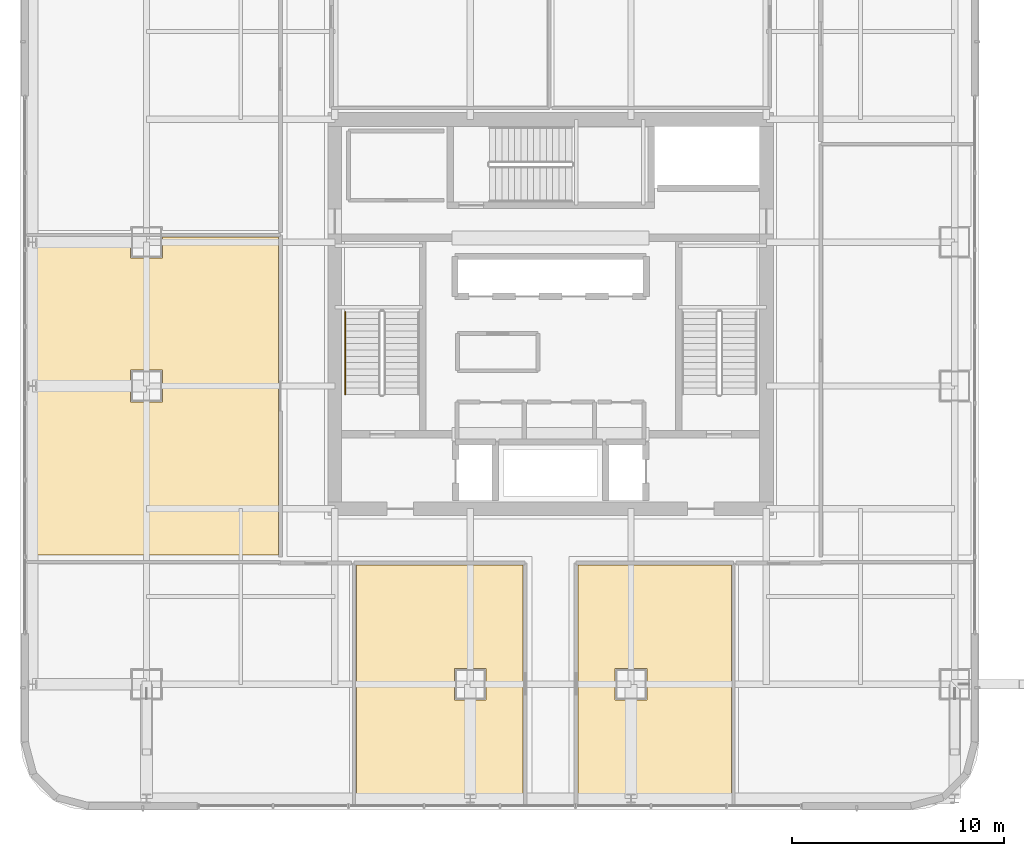
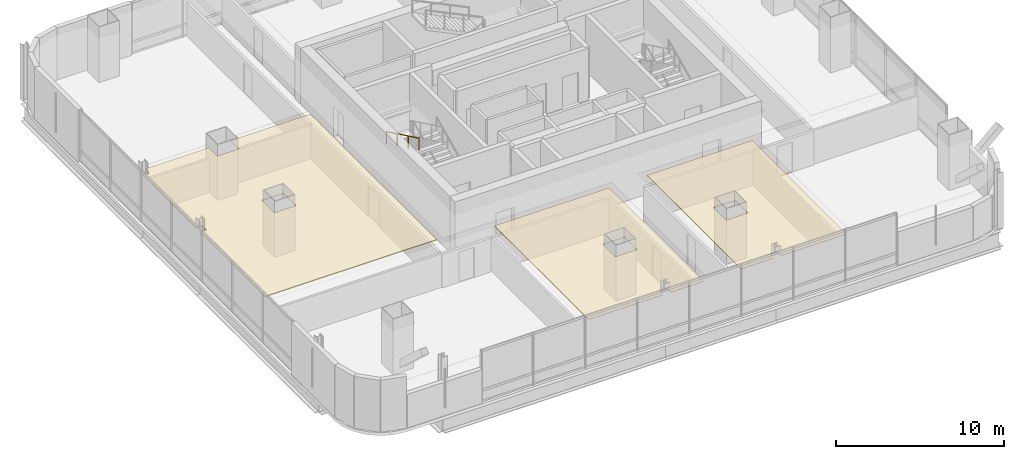
# One storey, part 38 of 46: 3 coverings, 1 railing.
"""IFC4 building model written with IfcOpenShell, lengths in metres."""

from ifc_helpers import new_model, si_unit, direction, frame, origin, origin_2d, place, context, subcontext, project, spatial, polyline, circle, outline, extrude, material, layer, layer_set, type_object, element, save


model = new_model("IFC4")

# Units and contexts
model_context = context("Model", 3, precision=1e-05, world=origin(), true_north=direction((0.0, 1.0)))
body_context = subcontext(model_context, "Body", "Model", "MODEL_VIEW")
ifc_project = project(units=[si_unit("LENGTHUNIT", "METRE"), si_unit("AREAUNIT", "SQUARE_METRE"), si_unit("VOLUMEUNIT", "CUBIC_METRE"), si_unit("PLANEANGLEUNIT", "RADIAN"), si_unit("MASSUNIT", "GRAM", prefix="KILO")], contexts=[model_context])

# Site, building, storey
site_placement = place(None, origin())
site = spatial("IfcSite", under=ifc_project, at=site_placement, CompositionType="ELEMENT")
building_placement = place(site_placement, origin())
building = spatial("IfcBuilding", under=site, at=building_placement, Name="Punatoya Terracotta Tower", CompositionType="ELEMENT")
storey_placement = place(building_placement, frame((0.0, 0.0, 200.550048828125)))
storey = spatial("IfcBuildingStorey", under=building, at=storey_placement, Name="L47", CompositionType="ELEMENT", Elevation=200.550048828125)

# Coverings
ifc_material_1 = material(Name="Acoustic Mineral Fibre Ceiling")
ifc_layer = layer(ifc_material_1, 0.06005859375)
ifc_layer_set = layer_set([ifc_layer], Name="Acoustic Mineral Fibre Ceiling")
covering_type = type_object("IfcCoveringType", Name="COV-CEIL-60", PredefinedType="CEILING", material=ifc_layer_set)
covering_1_placement = place(storey_placement, frame((0.0, 0.0, 3.219970703125)))
element("IfcCovering", 1, at=covering_1_placement, inside=storey, type_object=covering_type, Name="L47 Open-Plan Computational Simulation Laboratory Acoustic Ceiling", PredefinedType="CEILING", context=body_context, shape_type="SweptSolid", body=[
    extrude(outline(polyline([(-1.300048828125, -11.8701171875), (-9.18505859375, -11.8701171875), (-9.18505859375, -23.070068359375), (-4.054443359375, -23.070068359375), (-4.054443359375, -22.637451171875), (-3.54541015625, -22.637451171875), (-3.54541015625, -23.070068359375), (-1.300048828125, -23.070068359375), (-1.300048828125, -11.8701171875)]), holes=[polyline([(-4.550048828125, -16.75), (-3.050048828125, -16.75), (-3.050048828125, -18.25), (-4.550048828125, -18.25), (-4.550048828125, -16.75)])]), origin(), (0.0, 0.0, 1.0), 0.06005859375),
])
covering_2_placement = place(storey_placement, frame((0.0, 0.0, 3.219970703125)))
element("IfcCovering", 2, at=covering_2_placement, inside=storey, type_object=covering_type, Name="L47 Open-Plan Cartography Reference Library Acoustic Ceiling", PredefinedType="CEILING", context=body_context, shape_type="SweptSolid", body=[
    extrude(outline(polyline([(1.300048828125, -23.070068359375), (3.54541015625, -23.070068359375), (3.54541015625, -22.637451171875), (4.054443359375, -22.637451171875), (4.054443359375, -23.070068359375), (8.552001953125, -23.070068359375), (8.552001953125, -11.8701171875), (1.300048828125, -11.8701171875), (1.300048828125, -23.070068359375)]), holes=[polyline([(4.550048828125, -16.75), (4.550048828125, -18.25), (3.050048828125, -18.25), (3.050048828125, -16.75), (4.550048828125, -16.75)])]), origin(), (0.0, 0.0, 1.0), 0.06005859375),
])
covering_3_placement = place(storey_placement, frame((0.0, 0.0, 3.219970703125)))
element("IfcCovering", 3, at=covering_3_placement, inside=storey, type_object=covering_type, Name="L47 Technical Seminar Room Acoustic Ceiling", PredefinedType="CEILING", context=body_context, shape_type="SweptSolid", body=[
    extrude(outline(polyline([(-24.669921875, -3.66259765625), (-24.669921875, -11.389892578125), (-12.8701171875, -11.389892578125), (-12.8701171875, 3.639892578125), (-18.35009765625, 3.639892578125), (-18.35009765625, 2.64990234375), (-19.85009765625, 2.64990234375), (-19.85009765625, 3.639892578125), (-24.24560546875, 3.639892578125), (-24.24560546875, 3.137451171875), (-24.669921875, 3.137451171875), (-24.669921875, -3.137451171875), (-24.24560546875, -3.137451171875), (-24.24560546875, -3.66259765625), (-24.669921875, -3.66259765625)]), holes=[polyline([(-18.35009765625, -4.14990234375), (-19.85009765625, -4.14990234375), (-19.85009765625, -2.64990234375), (-18.35009765625, -2.64990234375), (-18.35009765625, -4.14990234375)])]), origin(), (0.0, 0.0, 1.0), 0.06005859375),
])

# Railing
ifc_material_2 = material(Name="Steel S355", Category="steel")
railing_type = type_object("IfcRailingType", Name="RLG-HND-900", PredefinedType="HANDRAIL", material=ifc_material_2)
railing_placement = place(storey_placement, frame((-9.699951171875, 0.10009765625, 2.169677734375)))
element("IfcRailing", 4, at=railing_placement, inside=storey, type_object=railing_type, Name="L47 ST-1 stair handrail 2", PredefinedType="HANDRAIL", context=body_context, shape_type="SweptSolid", body=[
    extrude(circle(Radius=0.02392578125, at=origin_2d()), frame((0.0, 0.0, 0.8759765625), z_axis=(0.0, -0.900773802044, 0.434288564841), x_axis=(1.0, 0.0, 0.0)), (0.0, 0.0, 1.0), 4.329833984375),
    extrude(circle(Radius=0.02099609375, at=origin_2d()), origin(), (0.0, 0.0, 1.0), 0.851806640625),
    extrude(circle(Radius=0.02099609375, at=origin_2d()), frame((0.0, -1.300048828125, 0.626708984375)), (0.0, 0.0, 1.0), 0.851806640625),
    extrude(circle(Radius=0.02099609375, at=origin_2d()), frame((0.0, -2.60009765625, 1.253662109375)), (0.0, 0.0, 1.0), 0.851806640625),
    extrude(circle(Radius=0.02099609375, at=origin_2d()), frame((0.0, -3.900146484375, 1.88037109375)), (0.0, 0.0, 1.0), 0.851806640625),
])

save(model, "model.ifc")
